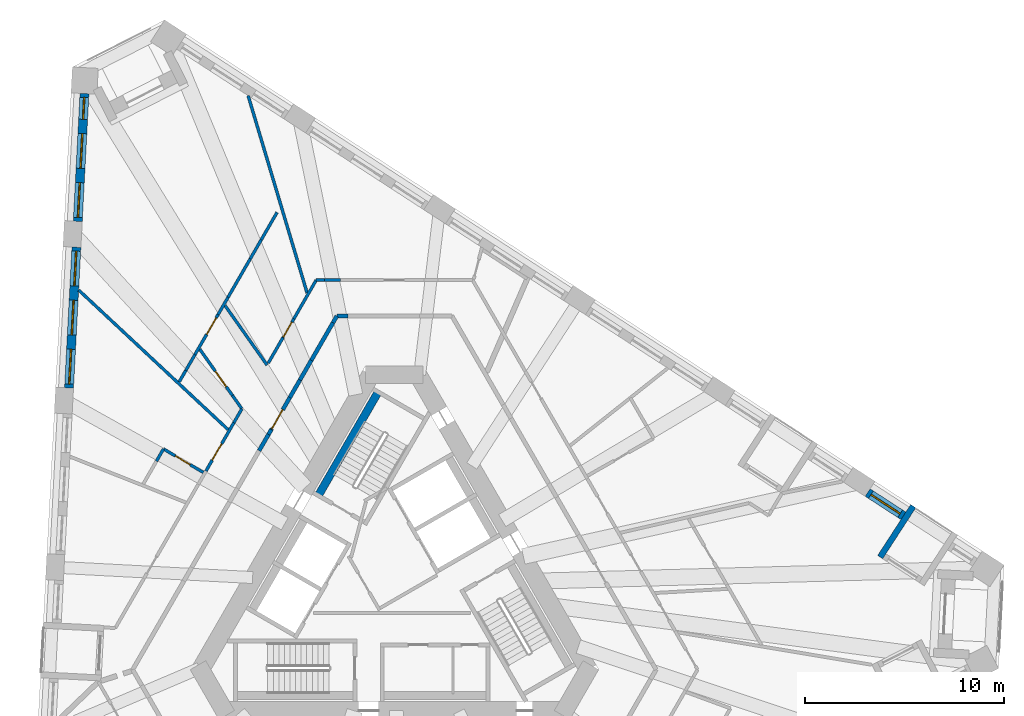
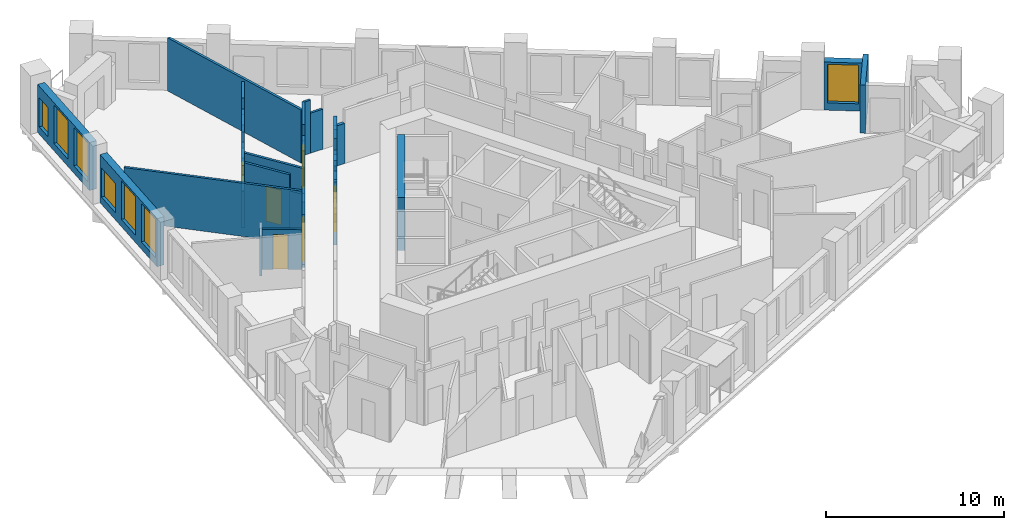
# One storey, part 7 of 13: 34 walls, 7 windows, 6 doors, 13 openings.
"""IFC4 building model written with IfcOpenShell, lengths in metres."""

from ifc_helpers import new_model, si_unit, direction, frame, frame_2d, origin, place, context, subcontext, project, spatial, polyline, rectangle, outline, extrude, material, layer, layer_set, type_object, element, fill, save


model = new_model("IFC4")

# Units and contexts
model_context = context("Model", 3, precision=1e-05, world=origin(), true_north=direction((0.0, 1.0)))
body_context = subcontext(model_context, "Body", "Model", "MODEL_VIEW")
ifc_project = project(units=[si_unit("LENGTHUNIT", "METRE"), si_unit("AREAUNIT", "SQUARE_METRE"), si_unit("VOLUMEUNIT", "CUBIC_METRE"), si_unit("PLANEANGLEUNIT", "RADIAN"), si_unit("MASSUNIT", "GRAM", prefix="KILO")], contexts=[model_context])

# Site, building, storey
site_placement = place(None, origin())
site = spatial("IfcSite", under=ifc_project, at=site_placement, CompositionType="ELEMENT")
building_placement = place(site_placement, origin())
building = spatial("IfcBuilding", under=site, at=building_placement, Name="Tramontana Tower", CompositionType="ELEMENT")
storey_placement = place(building_placement, frame((0.0, 0.0, 137.60009765625)))
storey = spatial("IfcBuildingStorey", under=building, at=storey_placement, Name="L31", CompositionType="ELEMENT", Elevation=137.60009765625)

# Walls
ifc_material_1 = material(Name="Blockwork", Category="masonry")
ifc_layer_1 = layer(ifc_material_1, 0.199951171875)
ifc_layer_set_1 = layer_set([ifc_layer_1], Name="ENTRY WALL 200")
wall_type_1 = type_object("IfcWallType", Name="ENTRY WALL 200", PredefinedType="SOLIDWALL", material=ifc_layer_set_1)
wall_1_placement = place(storey_placement, frame((-6.790283203125, 6.739013671875, 0.0), z_axis=(0.0, 0.0, 1.0), x_axis=(0.500118100521, 0.865957207679, 0.0)))
element("IfcWall", 1, at=wall_1_placement, inside=storey, type_object=wall_type_1, Name="Wall v31-ew4-5", PredefinedType="SOLIDWALL", context=body_context, shape_type="SweptSolid", body=[
    extrude(rectangle(XDim=0.943603515625, YDim=0.199951171875, at=frame_2d((0.4716796875, 0.0))), origin(), (0.0, 0.0, 1.0), 2.5498046875),
])
wall_2_placement = place(storey_placement, frame((-6.318359375, 7.55615234375, 0.0), z_axis=(0.0, 0.0, 1.0), x_axis=(0.499973348067, 0.866040790738, 0.0)))
element("IfcWall", 2, at=wall_2_placement, inside=storey, type_object=wall_type_1, Name="Wall v31-ew4-6", PredefinedType="SOLIDWALL", context=body_context, shape_type="SweptSolid", body=[
    extrude(rectangle(XDim=0.28076171875, YDim=0.199951171875, at=frame_2d((0.140380859375, 0.0))), origin(), (0.0, 0.0, 1.0), 3.64990234375),
])

# Wall, opening, door
wall_3_placement = place(storey_placement, frame((-6.177978515625, 7.79931640625, 0.0), z_axis=(0.0, 0.0, 1.0), x_axis=(0.499999386358, 0.86602575807, 0.0)))
wall_3 = element("IfcWall", 3, at=wall_3_placement, inside=storey, type_object=wall_type_1, Name="Wall v31-ew4-7", PredefinedType="SOLIDWALL", context=body_context, shape_type="SweptSolid", body=[
    extrude(outline(polyline([(0.0, 0.0), (1.85693359375, 0.0), (1.85693359375, 2.5498046875), (0.833251953125, 2.5498046875), (0.833251953125, 3.64990234375), (0.0, 3.64990234375), (0.0, 0.0)])), frame((0.0, 0.10009765625, 0.0), z_axis=(0.0, -1.0, 0.0), x_axis=(1.0, 0.0, 0.0)), (0.0, 0.0, 1.0), 0.199951171875),
])
opening_1_placement = place(wall_3_placement, frame((0.050048828125, 0.0, 0.0)))
opening_1 = element("IfcOpeningElement", 4, at=opening_1_placement, cuts=wall_3, Name="Opening B3B-26", PredefinedType="OPENING", context=body_context, shape_type="SweptSolid", body=[
    extrude(rectangle(XDim=1.10009765625, YDim=2.39990234375, at=frame_2d((0.550048828125, 1.199951171875))), frame((0.0, 0.10986328125, 0.0), z_axis=(0.0, -1.0, 0.0), x_axis=(1.0, 0.0, 0.0)), (0.0, 0.0, 1.0), 0.219970703125),
])
ifc_material_2 = material(Name="Painted timber", Category="wood")
door_type_1 = type_object("IfcDoorType", Name="DOOR ENTRY 1100", OperationType="SINGLE_SWING_LEFT", PredefinedType="DOOR", material=ifc_material_2)
door_1_placement = place(opening_1_placement, origin())
door_1 = element("IfcDoor", 5, at=door_1_placement, inside=storey, type_object=door_type_1, Name="Door B3B-26", OperationType="SINGLE_SWING_RIGHT", OverallHeight=2.39990234375, OverallWidth=1.10009765625, PredefinedType="DOOR", context=body_context, shape_type="SweptSolid", body=[
    extrude(rectangle(XDim=1.10009765625, YDim=2.39990234375, at=frame_2d((0.550048828125, 1.199951171875))), frame((0.0, 0.02490234375, 0.0), z_axis=(0.0, -1.0, 0.0), x_axis=(1.0, 0.0, 0.0)), (0.0, 0.0, 1.0), 0.050048828125),
])
fill(opening_1, door_1)

# Walls
wall_4_placement = place(storey_placement, frame((-5.24951171875, 9.407470703125, 0.0), z_axis=(0.0, 0.0, 1.0), x_axis=(0.499991148707, 0.866030514021, 0.0)))
element("IfcWall", 6, at=wall_4_placement, inside=storey, type_object=wall_type_1, Name="Wall v31-ew4-8", PredefinedType="SOLIDWALL", context=body_context, shape_type="SweptSolid", body=[
    extrude(rectangle(XDim=1.0224609375, YDim=0.199951171875, at=frame_2d((0.51123046875, 0.0))), origin(), (0.0, 0.0, 1.0), 3.64990234375),
])
wall_5_placement = place(storey_placement, frame((-4.73828125, 10.29296875, 0.0), z_axis=(0.0, 0.0, 1.0), x_axis=(0.500001688065, 0.866024429177, 0.0)))
element("IfcWall", 7, at=wall_5_placement, inside=storey, type_object=wall_type_1, Name="Wall v31-ew4-9", PredefinedType="SOLIDWALL", context=body_context, shape_type="SweptSolid", body=[
    extrude(rectangle(XDim=1.13525390625, YDim=0.199951171875, at=frame_2d((0.567626953125, 0.0))), origin(), (0.0, 0.0, 1.0), 2.5498046875),
])
wall_6_placement = place(storey_placement, frame((-4.170654296875, 11.276123046875, 0.0), z_axis=(0.0, 0.0, 1.0), x_axis=(0.50001992892, 0.866013897511, 0.0)))
element("IfcWall", 8, at=wall_6_placement, inside=storey, type_object=wall_type_1, Name="Wall v31-ew4-10", PredefinedType="SOLIDWALL", context=body_context, shape_type="SweptSolid", body=[
    extrude(rectangle(XDim=2.1787109375, YDim=0.199951171875, at=frame_2d((1.08935546875, 0.0))), origin(), (0.0, 0.0, 1.0), 3.64990234375),
])
wall_7_placement = place(storey_placement, frame((-3.081298828125, 13.162841796875, 0.0), z_axis=(0.0, 0.0, 1.0), x_axis=(0.499849133735, 0.866112488944, 0.0)))
element("IfcWall", 9, at=wall_7_placement, inside=storey, type_object=wall_type_1, Name="Wall v31-ew4-11", PredefinedType="SOLIDWALL", context=body_context, shape_type="SweptSolid", body=[
    extrude(rectangle(XDim=0.38916015625, YDim=0.199951171875, at=frame_2d((0.194580078125, 0.0))), origin(), (0.0, 0.0, 1.0), 2.75),
])
wall_8_placement = place(storey_placement, frame((-2.88671875, 13.5, 0.0), z_axis=(0.0, 0.0, 1.0), x_axis=(1.0, 0.0, 0.0)))
element("IfcWall", 10, at=wall_8_placement, inside=storey, type_object=wall_type_1, Name="Wall v31-ew5-0", PredefinedType="SOLIDWALL", context=body_context, shape_type="SweptSolid", body=[
    extrude(rectangle(XDim=0.55322265625, YDim=0.199951171875, at=frame_2d((0.276611328125, 0.0))), origin(), (0.0, 0.0, 1.0), 2.75),
])

# Wall, openings, windows
ifc_material_3 = material(Name="Precast concrete 60 MPa", Category="concrete")
ifc_layer_2 = layer(ifc_material_3, 0.449951171875)
ifc_layer_set_2 = layer_set([ifc_layer_2], Name="Precast concrete 60 MPa, 450 mm")
wall_type_2 = type_object("IfcWallType", Name="EW1 Stone-faced precast wall 450", PredefinedType="SOLIDWALL", material=ifc_layer_set_2)
wall_9_placement = place(storey_placement, frame((-15.5556640625, 24.66259765625, 0.0), z_axis=(0.0, 0.0, 1.0), x_axis=(-0.052313391961, -0.998630717043, 0.0)))
wall_9 = element("IfcWall", 11, at=wall_9_placement, inside=storey, type_object=wall_type_2, Name="External wall L31 face 0 bay 1", PredefinedType="SOLIDWALL", context=body_context, shape_type="SweptSolid", body=[
    extrude(rectangle(XDim=6.421630859375, YDim=0.449951171875, at=frame_2d((3.2109375, 0.0))), origin(), (0.0, 0.0, 1.0), 3.2998046875),
])
opening_2_placement = place(wall_9_placement, frame((0.1953125, 0.0, 0.5)))
opening_2 = element("IfcOpeningElement", 12, at=opening_2_placement, cuts=wall_9, Name="Opening N2L", PredefinedType="OPENING", context=body_context, shape_type="SweptSolid", body=[
    extrude(rectangle(XDim=1.10009765625, YDim=2.0, at=frame_2d((0.550048828125, 1.0))), frame((0.0, 0.23486328125, 0.0), z_axis=(0.0, -1.0, 0.0), x_axis=(1.0, 0.0, 0.0)), (0.0, 0.0, 1.0), 0.469970703125),
])
opening_3_placement = place(wall_9_placement, frame((2.0107421875, 0.0, 0.5)))
opening_3 = element("IfcOpeningElement", 13, at=opening_3_placement, cuts=wall_9, Name="Opening M2", PredefinedType="OPENING", context=body_context, shape_type="SweptSolid", body=[
    extrude(rectangle(XDim=1.75, YDim=2.64990234375, at=frame_2d((0.875, 1.324951171875))), frame((0.0, 0.23486328125, 0.0), z_axis=(0.0, -1.0, 0.0), x_axis=(1.0, 0.0, 0.0)), (0.0, 0.0, 1.0), 0.469970703125),
])
opening_4_placement = place(wall_9_placement, frame((4.476318359375, 0.0, 0.5)))
opening_4 = element("IfcOpeningElement", 14, at=opening_4_placement, cuts=wall_9, Name="Opening M2", PredefinedType="OPENING", context=body_context, shape_type="SweptSolid", body=[
    extrude(rectangle(XDim=1.75, YDim=2.64990234375, at=frame_2d((0.875, 1.324951171875))), frame((0.0, 0.23486328125, 0.0), z_axis=(0.0, -1.0, 0.0), x_axis=(1.0, 0.0, 0.0)), (0.0, 0.0, 1.0), 0.469970703125),
])
ifc_material_4 = material(Name="Aluminum frame, double glazing unit", Category="aluminium")
window_type_1 = type_object("IfcWindowType", Name="M2 Window 1.75 x 2.65", PartitioningType="SINGLE_PANEL", PredefinedType="WINDOW", material=ifc_material_4)
window_1_placement = place(opening_3_placement, origin())
window_1 = element("IfcWindow", 15, at=window_1_placement, inside=storey, type_object=window_type_1, Name="Window M2 L31 face 0 module 2", OverallHeight=2.64990234375, OverallWidth=1.75, PartitioningType="SINGLE_PANEL", PredefinedType="WINDOW", context=body_context, shape_type="SweptSolid", body=[
    extrude(rectangle(XDim=1.75, YDim=2.64990234375, at=frame_2d((0.875, 1.324951171875))), frame((0.0, 0.030029296875, 0.0), z_axis=(0.0, -1.0, 0.0), x_axis=(1.0, 0.0, 0.0)), (0.0, 0.0, 1.0), 0.06005859375),
])
fill(opening_3, window_1)
window_2_placement = place(opening_4_placement, origin())
window_2 = element("IfcWindow", 16, at=window_2_placement, inside=storey, type_object=window_type_1, Name="Window M2 L31 face 0 module 3", OverallHeight=2.64990234375, OverallWidth=1.75, PartitioningType="SINGLE_PANEL", PredefinedType="WINDOW", context=body_context, shape_type="SweptSolid", body=[
    extrude(rectangle(XDim=1.75, YDim=2.64990234375, at=frame_2d((0.875, 1.324951171875))), frame((0.0, 0.030029296875, 0.0), z_axis=(0.0, -1.0, 0.0), x_axis=(1.0, 0.0, 0.0)), (0.0, 0.0, 1.0), 0.06005859375),
])
fill(opening_4, window_2)
ifc_material_5 = material(Name="Aluminum frame, double glazing unit", Category="aluminium")
window_type_2 = type_object("IfcWindowType", Name="N2L Window 1.1 x 2", PartitioningType="SINGLE_PANEL", PredefinedType="WINDOW", material=ifc_material_5)
window_3_placement = place(opening_2_placement, origin())
window_3 = element("IfcWindow", 17, at=window_3_placement, inside=storey, type_object=window_type_2, Name="Window N2L L31 face 0 module 1", OverallHeight=2.0, OverallWidth=1.10009765625, PartitioningType="SINGLE_PANEL", PredefinedType="WINDOW", context=body_context, shape_type="SweptSolid", body=[
    extrude(rectangle(XDim=1.10009765625, YDim=2.0, at=frame_2d((0.550048828125, 1.0))), frame((0.0, 0.030029296875, 0.0), z_axis=(0.0, -1.0, 0.0), x_axis=(1.0, 0.0, 0.0)), (0.0, 0.0, 1.0), 0.06005859375),
])
fill(opening_2, window_3)

wall_10_placement = place(storey_placement, frame((-15.959716796875, 16.95166015625, 0.0), z_axis=(0.0, 0.0, 1.0), x_axis=(-0.052337766399, -0.998629439887, 0.0)))
wall_10 = element("IfcWall", 18, at=wall_10_placement, inside=storey, type_object=wall_type_2, Name="External wall L31 face 0 bay 2", PredefinedType="SOLIDWALL", context=body_context, shape_type="SweptSolid", body=[
    extrude(rectangle(XDim=7.07177734375, YDim=0.449951171875, at=frame_2d((3.535888671875, 0.0))), origin(), (0.0, 0.0, 1.0), 3.2998046875),
])
opening_5_placement = place(wall_10_placement, frame((0.1953125, 0.0, 0.5)))
opening_5 = element("IfcOpeningElement", 19, at=opening_5_placement, cuts=wall_10, Name="Opening M2L", PredefinedType="OPENING", context=body_context, shape_type="SweptSolid", body=[
    extrude(rectangle(XDim=1.75, YDim=2.0, at=frame_2d((0.875, 1.0))), frame((0.0, 0.23486328125, 0.0), z_axis=(0.0, -1.0, 0.0), x_axis=(1.0, 0.0, 0.0)), (0.0, 0.0, 1.0), 0.469970703125),
])
opening_6_placement = place(wall_10_placement, frame((2.660888671875, 0.0, 0.5)))
opening_6 = element("IfcOpeningElement", 20, at=opening_6_placement, cuts=wall_10, Name="Opening M2", PredefinedType="OPENING", context=body_context, shape_type="SweptSolid", body=[
    extrude(rectangle(XDim=1.75, YDim=2.64990234375, at=frame_2d((0.875, 1.324951171875))), frame((0.0, 0.23486328125, 0.0), z_axis=(0.0, -1.0, 0.0), x_axis=(1.0, 0.0, 0.0)), (0.0, 0.0, 1.0), 0.469970703125),
])
opening_7_placement = place(wall_10_placement, frame((5.126220703125, 0.0, 0.5)))
opening_7 = element("IfcOpeningElement", 21, at=opening_7_placement, cuts=wall_10, Name="Opening M2", PredefinedType="OPENING", context=body_context, shape_type="SweptSolid", body=[
    extrude(rectangle(XDim=1.75, YDim=2.64990234375, at=frame_2d((0.875, 1.324951171875))), frame((0.0, 0.23486328125, 0.0), z_axis=(0.0, -1.0, 0.0), x_axis=(1.0, 0.0, 0.0)), (0.0, 0.0, 1.0), 0.469970703125),
])
window_4_placement = place(opening_6_placement, origin())
window_4 = element("IfcWindow", 22, at=window_4_placement, inside=storey, type_object=window_type_1, Name="Window M2 L31 face 0 module 5", OverallHeight=2.64990234375, OverallWidth=1.75, PartitioningType="SINGLE_PANEL", PredefinedType="WINDOW", context=body_context, shape_type="SweptSolid", body=[
    extrude(rectangle(XDim=1.75, YDim=2.64990234375, at=frame_2d((0.875, 1.324951171875))), frame((0.0, 0.030029296875, 0.0), z_axis=(0.0, -1.0, 0.0), x_axis=(1.0, 0.0, 0.0)), (0.0, 0.0, 1.0), 0.06005859375),
])
fill(opening_6, window_4)
window_5_placement = place(opening_7_placement, origin())
window_5 = element("IfcWindow", 23, at=window_5_placement, inside=storey, type_object=window_type_1, Name="Window M2 L31 face 0 module 6", OverallHeight=2.64990234375, OverallWidth=1.75, PartitioningType="SINGLE_PANEL", PredefinedType="WINDOW", context=body_context, shape_type="SweptSolid", body=[
    extrude(rectangle(XDim=1.75, YDim=2.64990234375, at=frame_2d((0.875, 1.324951171875))), frame((0.0, 0.030029296875, 0.0), z_axis=(0.0, -1.0, 0.0), x_axis=(1.0, 0.0, 0.0)), (0.0, 0.0, 1.0), 0.06005859375),
])
fill(opening_7, window_5)
ifc_material_6 = material(Name="Aluminum frame, double glazing unit", Category="aluminium")
window_type_3 = type_object("IfcWindowType", Name="M2L Window 1.75 x 2", PartitioningType="SINGLE_PANEL", PredefinedType="WINDOW", material=ifc_material_6)
window_6_placement = place(opening_5_placement, origin())
window_6 = element("IfcWindow", 24, at=window_6_placement, inside=storey, type_object=window_type_3, Name="Window M2L L31 face 0 module 4", OverallHeight=2.0, OverallWidth=1.75, PartitioningType="SINGLE_PANEL", PredefinedType="WINDOW", context=body_context, shape_type="SweptSolid", body=[
    extrude(rectangle(XDim=1.75, YDim=2.0, at=frame_2d((0.875, 1.0))), frame((0.0, 0.030029296875, 0.0), z_axis=(0.0, -1.0, 0.0), x_axis=(1.0, 0.0, 0.0)), (0.0, 0.0, 1.0), 0.06005859375),
])
fill(opening_5, window_6)

# Wall, opening, window
wall_11_placement = place(storey_placement, frame((25.5458984375, 3.471923828125, 0.0), z_axis=(0.0, 0.0, 1.0), x_axis=(-0.838675466927, 0.544631491171, 0.0)))
wall_11 = element("IfcWall", 25, at=wall_11_placement, inside=storey, type_object=wall_type_2, Name="External wall L31 face 2 bay 1", PredefinedType="SOLIDWALL", context=body_context, shape_type="SweptSolid", body=[
    extrude(rectangle(XDim=2.140380859375, YDim=0.449951171875, at=frame_2d((1.0703125, 0.0))), origin(), (0.0, 0.0, 1.0), 3.2998046875),
])
opening_8_placement = place(wall_11_placement, frame((0.1953125, 0.0, 0.5)))
opening_8 = element("IfcOpeningElement", 26, at=opening_8_placement, cuts=wall_11, Name="Opening M2", PredefinedType="OPENING", context=body_context, shape_type="SweptSolid", body=[
    extrude(rectangle(XDim=1.75, YDim=2.64990234375, at=frame_2d((0.875, 1.324951171875))), frame((0.0, 0.23486328125, 0.0), z_axis=(0.0, -1.0, 0.0), x_axis=(1.0, 0.0, 0.0)), (0.0, 0.0, 1.0), 0.469970703125),
])
window_7_placement = place(opening_8_placement, origin())
window_7 = element("IfcWindow", 27, at=window_7_placement, inside=storey, type_object=window_type_1, Name="Window M2 L31 face 2 module 3", OverallHeight=2.64990234375, OverallWidth=1.75, PartitioningType="SINGLE_PANEL", PredefinedType="WINDOW", context=body_context, shape_type="SweptSolid", body=[
    extrude(rectangle(XDim=1.75, YDim=2.64990234375, at=frame_2d((0.875, 1.324951171875))), frame((0.0, 0.030029296875, 0.0), z_axis=(0.0, -1.0, 0.0), x_axis=(1.0, 0.0, 0.0)), (0.0, 0.0, 1.0), 0.06005859375),
])
fill(opening_8, window_7)

# Wall
ifc_material_7 = material(Name="Precast concrete 60 MPa", Category="concrete")
ifc_layer_3 = layer(ifc_material_7, 0.300048828125)
ifc_layer_set_3 = layer_set([ifc_layer_3], Name="LW1 Stone-faced loggia wall 300")
wall_type_3 = type_object("IfcWallType", Name="LW1 Stone-faced loggia wall 300", PredefinedType="SOLIDWALL", material=ifc_layer_set_3)
wall_12_placement = place(storey_placement, frame((26.039306640625, 3.956298828125, 0.0), z_axis=(0.0, 0.0, 1.0), x_axis=(-0.544611292451, -0.838688583525, 0.0)))
element("IfcWall", 28, at=wall_12_placement, inside=storey, type_object=wall_type_3, Name="Loggia return L31 G3S2.1b", PredefinedType="SOLIDWALL", context=body_context, shape_type="SweptSolid", body=[
    extrude(rectangle(XDim=3.050048828125, YDim=0.300048828125, at=frame_2d((1.52490234375, 0.0))), origin(), (0.0, 0.0, 1.0), 3.2998046875),
])

# Wall, opening, door
ifc_material_8 = material(Name="Gypsum board partition")
ifc_layer_4 = layer(ifc_material_8, 0.14990234375)
ifc_layer_set_4 = layer_set([ifc_layer_4], Name="PARTITION 150")
wall_type_4 = type_object("IfcWallType", Name="PARTITION 150", PredefinedType="PARTITIONING", material=ifc_layer_set_4)
wall_13_placement = place(storey_placement, frame((-9.457763671875, 5.71875, 0.0), z_axis=(0.0, 0.0, 1.0), x_axis=(0.499996941814, 0.866027169422, 0.0)))
wall_13 = element("IfcWall", 29, at=wall_13_placement, inside=storey, type_object=wall_type_4, Name="Wall v31-pw04-4", PredefinedType="PARTITIONING", context=body_context, shape_type="SweptSolid", body=[
    extrude(rectangle(XDim=2.79736328125, YDim=0.14990234375, at=frame_2d((1.398681640625, 0.0))), origin(), (0.0, 0.0, 1.0), 3.64990234375),
])
opening_9_placement = place(wall_13_placement, frame((0.6298828125, 0.0, 0.0)))
opening_9 = element("IfcOpeningElement", 30, at=opening_9_placement, cuts=wall_13, Name="Opening B3B-05", PredefinedType="OPENING", context=body_context, shape_type="SweptSolid", body=[
    extrude(rectangle(XDim=0.949951171875, YDim=2.39990234375, at=frame_2d((0.47509765625, 1.199951171875))), frame((0.0, 0.0849609375, 0.0), z_axis=(0.0, -1.0, 0.0), x_axis=(1.0, 0.0, 0.0)), (0.0, 0.0, 1.0), 0.169921875),
])
ifc_material_9 = material(Name="Painted timber", Category="wood")
door_type_2 = type_object("IfcDoorType", Name="DOOR ROOM 950", OperationType="SINGLE_SWING_LEFT", PredefinedType="DOOR", material=ifc_material_9)
door_2_placement = place(opening_9_placement, origin())
door_2 = element("IfcDoor", 31, at=door_2_placement, inside=storey, type_object=door_type_2, Name="Door B3B-05", OperationType="SINGLE_SWING_LEFT", OverallHeight=2.39990234375, OverallWidth=0.949951171875, PredefinedType="DOOR", context=body_context, shape_type="SweptSolid", body=[
    extrude(rectangle(XDim=0.949951171875, YDim=2.39990234375, at=frame_2d((0.47509765625, 1.199951171875))), frame((0.0, 0.02490234375, 0.0), z_axis=(0.0, -1.0, 0.0), x_axis=(1.0, 0.0, 0.0)), (0.0, 0.0, 1.0), 0.050048828125),
])
fill(opening_9, door_2)

# Walls
wall_14_placement = place(storey_placement, frame((-8.05908203125, 8.141357421875, 0.0), z_axis=(0.0, 0.0, 1.0), x_axis=(0.499949632511, 0.866054481515, 0.0)))
element("IfcWall", 32, at=wall_14_placement, inside=storey, type_object=wall_type_4, Name="Wall v31-pw04-5", PredefinedType="PARTITIONING", context=body_context, shape_type="SweptSolid", body=[
    extrude(rectangle(XDim=0.80615234375, YDim=0.14990234375, at=frame_2d((0.403076171875, 0.0))), origin(), (0.0, 0.0, 1.0), 2.5498046875),
])
wall_15_placement = place(storey_placement, frame((-11.94140625, 6.216796875, 0.0), z_axis=(0.0, 0.0, 1.0), x_axis=(0.499792463624, 0.866145191815, 0.0)))
element("IfcWall", 33, at=wall_15_placement, inside=storey, type_object=wall_type_4, Name="Wall v31-pw08-1", PredefinedType="PARTITIONING", context=body_context, shape_type="SweptSolid", body=[
    extrude(rectangle(XDim=0.704345703125, YDim=0.14990234375, at=frame_2d((0.35205078125, 0.0))), origin(), (0.0, 0.0, 1.0), 2.75),
])

# Wall, opening, door
wall_16_placement = place(storey_placement, frame((-9.5859375, 5.646728515625, 0.0), z_axis=(0.0, 0.0, 1.0), x_axis=(-0.861615541437, 0.507561482733, 0.0)))
wall_16 = element("IfcWall", 34, at=wall_16_placement, inside=storey, type_object=wall_type_4, Name="Wall v31-pw10-0", PredefinedType="PARTITIONING", context=body_context, shape_type="SweptSolid", body=[
    extrude(rectangle(XDim=2.3251953125, YDim=0.14990234375, at=frame_2d((1.16259765625, 0.0))), origin(), (0.0, 0.0, 1.0), 2.75),
])
opening_10_placement = place(wall_16_placement, frame((0.780029296875, 0.0, 0.0)))
opening_10 = element("IfcOpeningElement", 35, at=opening_10_placement, cuts=wall_16, Name="Opening B3B-08", PredefinedType="OPENING", context=body_context, shape_type="SweptSolid", body=[
    extrude(rectangle(XDim=0.85009765625, YDim=2.39990234375, at=frame_2d((0.425048828125, 1.199951171875))), frame((0.0, 0.0849609375, 0.0), z_axis=(0.0, -1.0, 0.0), x_axis=(1.0, 0.0, 0.0)), (0.0, 0.0, 1.0), 0.169921875),
])
ifc_material_10 = material(Name="Painted timber", Category="wood")
door_type_3 = type_object("IfcDoorType", Name="DOOR BATH 850", OperationType="SINGLE_SWING_LEFT", PredefinedType="DOOR", material=ifc_material_10)
door_3_placement = place(opening_10_placement, origin())
door_3 = element("IfcDoor", 36, at=door_3_placement, inside=storey, type_object=door_type_3, Name="Door B3B-08", OperationType="SINGLE_SWING_RIGHT", OverallHeight=2.39990234375, OverallWidth=0.85009765625, PredefinedType="DOOR", context=body_context, shape_type="SweptSolid", body=[
    extrude(rectangle(XDim=0.85009765625, YDim=2.39990234375, at=frame_2d((0.425048828125, 1.199951171875))), frame((0.0, 0.02490234375, 0.0), z_axis=(0.0, -1.0, 0.0), x_axis=(1.0, 0.0, 0.0)), (0.0, 0.0, 1.0), 0.050048828125),
])
fill(opening_10, door_3)

# Walls
wall_17_placement = place(storey_placement, frame((-10.80126953125, 10.191650390625, 0.0), z_axis=(0.0, 0.0, 1.0), x_axis=(0.499923391538, 0.866069629183, 0.0)))
element("IfcWall", 37, at=wall_17_placement, inside=storey, type_object=wall_type_4, Name="Wall v31-pw12-0", PredefinedType="PARTITIONING", context=body_context, shape_type="SweptSolid", body=[
    extrude(rectangle(XDim=0.666015625, YDim=0.14990234375, at=frame_2d((0.3330078125, 0.0))), origin(), (0.0, 0.0, 1.0), 3.64990234375),
])
wall_18_placement = place(storey_placement, frame((-10.46826171875, 10.7685546875, 0.0), z_axis=(0.0, 0.0, 1.0), x_axis=(0.500060322201, 0.865990573944, 0.0)))
element("IfcWall", 38, at=wall_18_placement, inside=storey, type_object=wall_type_4, Name="Wall v31-pw12-1", PredefinedType="PARTITIONING", context=body_context, shape_type="SweptSolid", body=[
    extrude(rectangle(XDim=0.91748046875, YDim=0.14990234375, at=frame_2d((0.458740234375, 0.0))), origin(), (0.0, 0.0, 1.0), 2.5498046875),
])

# Wall, opening, door
wall_19_placement = place(storey_placement, frame((-10.009521484375, 11.56298828125, 0.0), z_axis=(0.0, 0.0, 1.0), x_axis=(0.499986579711, 0.866033151853, 0.0)))
wall_19 = element("IfcWall", 39, at=wall_19_placement, inside=storey, type_object=wall_type_4, Name="Wall v31-pw12-2", PredefinedType="PARTITIONING", context=body_context, shape_type="SweptSolid", body=[
    extrude(rectangle(XDim=2.3203125, YDim=0.14990234375, at=frame_2d((1.16015625, 0.0))), origin(), (0.0, 0.0, 1.0), 3.64990234375),
])
opening_11_placement = place(wall_19_placement, frame((1.178466796875, 0.0, 0.0)))
opening_11 = element("IfcOpeningElement", 40, at=opening_11_placement, cuts=wall_19, Name="Opening B3B-03", PredefinedType="OPENING", context=body_context, shape_type="SweptSolid", body=[
    extrude(rectangle(XDim=0.949951171875, YDim=2.39990234375, at=frame_2d((0.47509765625, 1.199951171875))), frame((0.0, 0.0849609375, 0.0), z_axis=(0.0, -1.0, 0.0), x_axis=(1.0, 0.0, 0.0)), (0.0, 0.0, 1.0), 0.169921875),
])
door_4_placement = place(opening_11_placement, origin())
door_4 = element("IfcDoor", 41, at=door_4_placement, inside=storey, type_object=door_type_2, Name="Door B3B-03", OperationType="SINGLE_SWING_LEFT", OverallHeight=2.39990234375, OverallWidth=0.949951171875, PredefinedType="DOOR", context=body_context, shape_type="SweptSolid", body=[
    extrude(rectangle(XDim=0.949951171875, YDim=2.39990234375, at=frame_2d((0.47509765625, 1.199951171875))), frame((0.0, 0.02490234375, 0.0), z_axis=(0.0, -1.0, 0.0), x_axis=(1.0, 0.0, 0.0)), (0.0, 0.0, 1.0), 0.050048828125),
])
fill(opening_11, door_4)

# Walls
wall_20_placement = place(storey_placement, frame((-8.849365234375, 13.572509765625, 0.0), z_axis=(0.0, 0.0, 1.0), x_axis=(0.499991453095, 0.866030338286, 0.0)))
element("IfcWall", 42, at=wall_20_placement, inside=storey, type_object=wall_type_4, Name="Wall v31-pw12-3", PredefinedType="PARTITIONING", context=body_context, shape_type="SweptSolid", body=[
    extrude(rectangle(XDim=0.9951171875, YDim=0.14990234375, at=frame_2d((0.49755859375, 0.0))), origin(), (0.0, 0.0, 1.0), 2.5498046875),
])
wall_21_placement = place(storey_placement, frame((-8.351806640625, 14.434326171875, 0.0), z_axis=(0.0, 0.0, 1.0), x_axis=(0.500040905051, 0.866001785954, 0.0)))
element("IfcWall", 43, at=wall_21_placement, inside=storey, type_object=wall_type_4, Name="Wall v31-pw12-4", PredefinedType="PARTITIONING", context=body_context, shape_type="SweptSolid", body=[
    extrude(rectangle(XDim=2.234130859375, YDim=0.14990234375, at=frame_2d((1.1171875, 0.0))), origin(), (0.0, 0.0, 1.0), 3.64990234375),
])
wall_22_placement = place(storey_placement, frame((-7.234619140625, 16.369140625, 0.0), z_axis=(0.0, 0.0, 1.0), x_axis=(0.499850094852, 0.866111934265, 0.0)))
element("IfcWall", 44, at=wall_22_placement, inside=storey, type_object=wall_type_4, Name="Wall v31-pw12-5", PredefinedType="PARTITIONING", context=body_context, shape_type="SweptSolid", body=[
    extrude(rectangle(XDim=1.103759765625, YDim=0.14990234375, at=frame_2d((0.5517578125, 0.0))), origin(), (0.0, 0.0, 1.0), 2.5498046875),
])
wall_23_placement = place(storey_placement, frame((-6.682861328125, 17.3251953125, 0.0), z_axis=(0.0, 0.0, 1.0), x_axis=(0.500108487576, 0.865962759392, 0.0)))
element("IfcWall", 45, at=wall_23_placement, inside=storey, type_object=wall_type_4, Name="Wall v31-pw12-6", PredefinedType="PARTITIONING", context=body_context, shape_type="SweptSolid", body=[
    extrude(rectangle(XDim=1.587646484375, YDim=0.14990234375, at=frame_2d((0.7939453125, 0.0))), origin(), (0.0, 0.0, 1.0), 3.64990234375),
])
wall_24_placement = place(storey_placement, frame((-8.50146484375, 14.024658203125, 0.0), z_axis=(0.0, 0.0, 1.0), x_axis=(0.577037005517, -0.816718001677, 0.0)))
element("IfcWall", 46, at=wall_24_placement, inside=storey, type_object=wall_type_4, Name="Wall v31-pw14-0", PredefinedType="PARTITIONING", context=body_context, shape_type="SweptSolid", body=[
    extrude(rectangle(XDim=3.65673828125, YDim=0.14990234375, at=frame_2d((1.828369140625, 0.0))), origin(), (0.0, 0.0, 1.0), 2.5498046875),
])
wall_25_placement = place(storey_placement, frame((-8.345458984375, 7.795166015625, 0.0), z_axis=(0.0, 0.0, 1.0), x_axis=(-0.730777599557, 0.68261563122, 0.0)))
element("IfcWall", 47, at=wall_25_placement, inside=storey, type_object=wall_type_4, Name="Wall v31-pw15", PredefinedType="PARTITIONING", context=body_context, shape_type="SweptSolid", body=[
    extrude(rectangle(XDim=10.26513671875, YDim=0.14990234375, at=frame_2d((5.132568359375, 0.0))), origin(), (0.0, 0.0, 1.0), 3.64990234375),
])
wall_26_placement = place(storey_placement, frame((-7.656005859375, 8.842529296875, 0.0), z_axis=(0.0, 0.0, 1.0), x_axis=(-0.577242645189, 0.81657267195, 0.0)))
element("IfcWall", 48, at=wall_26_placement, inside=storey, type_object=wall_type_4, Name="Wall v31-pw17-0", PredefinedType="PARTITIONING", context=body_context, shape_type="SweptSolid", body=[
    extrude(rectangle(XDim=0.822265625, YDim=0.14990234375, at=frame_2d((0.4111328125, 0.0))), origin(), (0.0, 0.0, 1.0), 2.5498046875),
])

# Wall, opening, door
wall_27_placement = place(storey_placement, frame((-8.130615234375, 9.513916015625, 0.0), z_axis=(0.0, 0.0, 1.0), x_axis=(-0.577014212804, 0.816734104971, 0.0)))
wall_27 = element("IfcWall", 49, at=wall_27_placement, inside=storey, type_object=wall_type_4, Name="Wall v31-pw17-1", PredefinedType="PARTITIONING", context=body_context, shape_type="SweptSolid", body=[
    extrude(rectangle(XDim=2.83740234375, YDim=0.14990234375, at=frame_2d((1.418701171875, 0.0))), origin(), (0.0, 0.0, 1.0), 3.64990234375),
])
opening_12_placement = place(wall_27_placement, frame((0.532470703125, 0.0, 0.0)))
opening_12 = element("IfcOpeningElement", 50, at=opening_12_placement, cuts=wall_27, Name="Opening B3B-01", PredefinedType="OPENING", context=body_context, shape_type="SweptSolid", body=[
    extrude(rectangle(XDim=0.949951171875, YDim=2.39990234375, at=frame_2d((0.47509765625, 1.199951171875))), frame((0.0, 0.0849609375, 0.0), z_axis=(0.0, -1.0, 0.0), x_axis=(1.0, 0.0, 0.0)), (0.0, 0.0, 1.0), 0.169921875),
])
door_5_placement = place(opening_12_placement, origin())
door_5 = element("IfcDoor", 51, at=door_5_placement, inside=storey, type_object=door_type_2, Name="Door B3B-01", OperationType="SINGLE_SWING_LEFT", OverallHeight=2.39990234375, OverallWidth=0.949951171875, PredefinedType="DOOR", context=body_context, shape_type="SweptSolid", body=[
    extrude(rectangle(XDim=0.949951171875, YDim=2.39990234375, at=frame_2d((0.47509765625, 1.199951171875))), frame((0.0, 0.02490234375, 0.0), z_axis=(0.0, -1.0, 0.0), x_axis=(1.0, 0.0, 0.0)), (0.0, 0.0, 1.0), 0.050048828125),
])
fill(opening_12, door_5)

# Walls
wall_28_placement = place(storey_placement, frame((-7.34130859375, 24.560791015625, 0.0), z_axis=(0.0, 0.0, 1.0), x_axis=(0.286374506655, -0.958117759953, 0.0)))
element("IfcWall", 52, at=wall_28_placement, inside=storey, type_object=wall_type_4, Name="Wall v31-pw18", PredefinedType="PARTITIONING", context=body_context, shape_type="SweptSolid", body=[
    extrude(rectangle(XDim=10.33349609375, YDim=0.14990234375, at=frame_2d((5.166748046875, 0.0))), origin(), (0.0, 0.0, 1.0), 3.64990234375),
])
wall_29_placement = place(storey_placement, frame((-6.328125, 11.139404296875, 0.0), z_axis=(0.0, 0.0, 1.0), x_axis=(0.499929700969, 0.866065987145, 0.0)))
element("IfcWall", 53, at=wall_29_placement, inside=storey, type_object=wall_type_4, Name="Wall v31-pw19-1", PredefinedType="PARTITIONING", context=body_context, shape_type="SweptSolid", body=[
    extrude(rectangle(XDim=1.461669921875, YDim=0.14990234375, at=frame_2d((0.73095703125, 0.0))), origin(), (0.0, 0.0, 1.0), 3.64990234375),
])

# Wall, opening, door
wall_30_placement = place(storey_placement, frame((-5.597412109375, 12.4052734375, 0.0), z_axis=(0.0, 0.0, 1.0), x_axis=(0.500111757231, 0.865960871102, 0.0)))
wall_30 = element("IfcWall", 54, at=wall_30_placement, inside=storey, type_object=wall_type_4, Name="Wall v31-pw19-2", PredefinedType="PARTITIONING", context=body_context, shape_type="SweptSolid", body=[
    extrude(rectangle(XDim=1.103759765625, YDim=0.14990234375, at=frame_2d((0.5517578125, 0.0))), origin(), (0.0, 0.0, 1.0), 2.5498046875),
])
opening_13_placement = place(wall_30_placement, frame((0.052734375, 0.0, 0.0)))
opening_13 = element("IfcOpeningElement", 55, at=opening_13_placement, cuts=wall_30, Name="Opening B3B-02", PredefinedType="OPENING", context=body_context, shape_type="SweptSolid", body=[
    extrude(rectangle(XDim=0.85009765625, YDim=2.39990234375, at=frame_2d((0.425048828125, 1.199951171875))), frame((0.0, 0.0849609375, 0.0), z_axis=(0.0, -1.0, 0.0), x_axis=(1.0, 0.0, 0.0)), (0.0, 0.0, 1.0), 0.169921875),
])
door_6_placement = place(opening_13_placement, origin())
door_6 = element("IfcDoor", 56, at=door_6_placement, inside=storey, type_object=door_type_3, Name="Door B3B-02", OperationType="SINGLE_SWING_RIGHT", OverallHeight=2.39990234375, OverallWidth=0.85009765625, PredefinedType="DOOR", context=body_context, shape_type="SweptSolid", body=[
    extrude(rectangle(XDim=0.85009765625, YDim=2.39990234375, at=frame_2d((0.425048828125, 1.199951171875))), frame((0.0, 0.02490234375, 0.0), z_axis=(0.0, -1.0, 0.0), x_axis=(1.0, 0.0, 0.0)), (0.0, 0.0, 1.0), 0.050048828125),
])
fill(opening_13, door_6)

# Walls
wall_31_placement = place(storey_placement, frame((-5.04541015625, 13.361083984375, 0.0), z_axis=(0.0, 0.0, 1.0), x_axis=(0.499974169222, 0.866040316677, 0.0)))
element("IfcWall", 57, at=wall_31_placement, inside=storey, type_object=wall_type_4, Name="Wall v31-pw19-3", PredefinedType="PARTITIONING", context=body_context, shape_type="SweptSolid", body=[
    extrude(rectangle(XDim=2.23876953125, YDim=0.14990234375, at=frame_2d((1.119384765625, 0.0))), origin(), (0.0, 0.0, 1.0), 3.64990234375),
])
wall_32_placement = place(storey_placement, frame((-3.92578125, 15.300048828125, 0.0), z_axis=(0.0, 0.0, 1.0), x_axis=(1.0, 0.0, 0.0)))
element("IfcWall", 58, at=wall_32_placement, inside=storey, type_object=wall_type_4, Name="Wall v31-pw22-0", PredefinedType="PARTITIONING", context=body_context, shape_type="SweptSolid", body=[
    extrude(rectangle(XDim=0.423095703125, YDim=0.14990234375, at=frame_2d((0.21142578125, 0.0))), origin(), (0.0, 0.0, 1.0), 3.64990234375),
])
wall_33_placement = place(storey_placement, frame((-3.502685546875, 15.300048828125, 0.0), z_axis=(0.0, 0.0, 1.0), x_axis=(1.0, 0.0, 0.0)))
element("IfcWall", 59, at=wall_33_placement, inside=storey, type_object=wall_type_4, Name="Wall v31-pw22-1", PredefinedType="PARTITIONING", context=body_context, shape_type="SweptSolid", body=[
    extrude(rectangle(XDim=0.791015625, YDim=0.14990234375, at=frame_2d((0.3955078125, 0.0))), origin(), (0.0, 0.0, 1.0), 2.75),
])
ifc_material_11 = material(Name="Concrete 70 MPa", Category="concrete")
ifc_layer_5 = layer(ifc_material_11, 0.39990234375)
ifc_layer_set_5 = layer_set([ifc_layer_5], Name="Concrete 70 MPa, 400 mm")
wall_type_5 = type_object("IfcWallType", Name="RC SHAFT BACK WALL 400", PredefinedType="SOLIDWALL", material=ifc_layer_set_5)
wall_34_placement = place(storey_placement, frame((-0.766357421875, 9.7724609375, 0.0), z_axis=(0.0, 0.0, 1.0), x_axis=(-0.500009909098, -0.866019682689, 0.0)))
element("IfcWall", 60, at=wall_34_placement, inside=storey, type_object=wall_type_5, Name="Wall st1-back", PredefinedType="SOLIDWALL", context=body_context, shape_type="SweptSolid", body=[
    extrude(rectangle(XDim=6.199951171875, YDim=0.39990234375, at=frame_2d((3.10009765625, 0.0))), origin(), (0.0, 0.0, 1.0), 3.64990234375),
])

save(model, "model.ifc")
